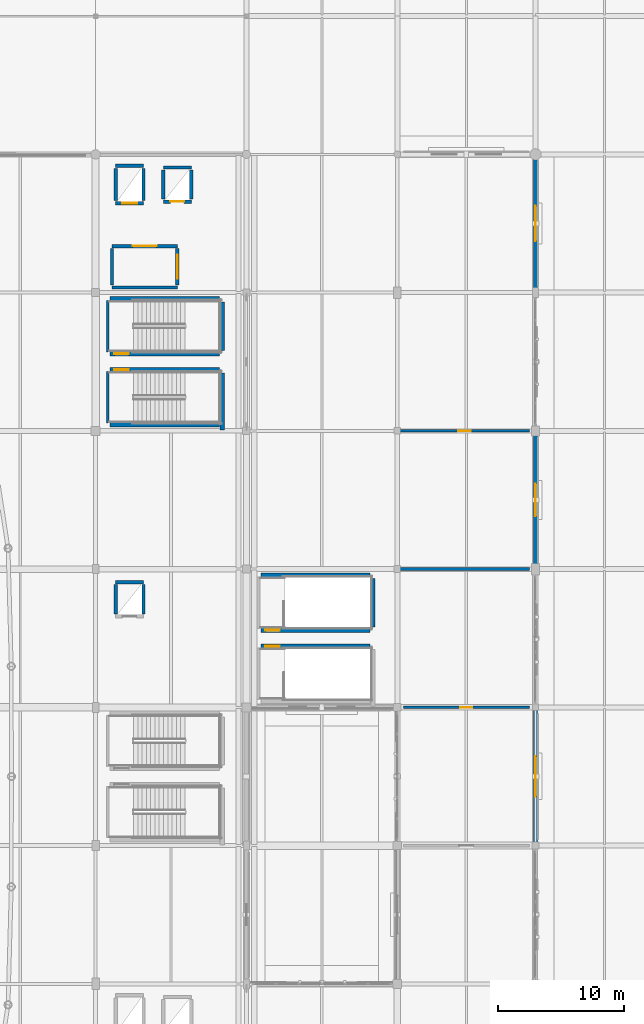
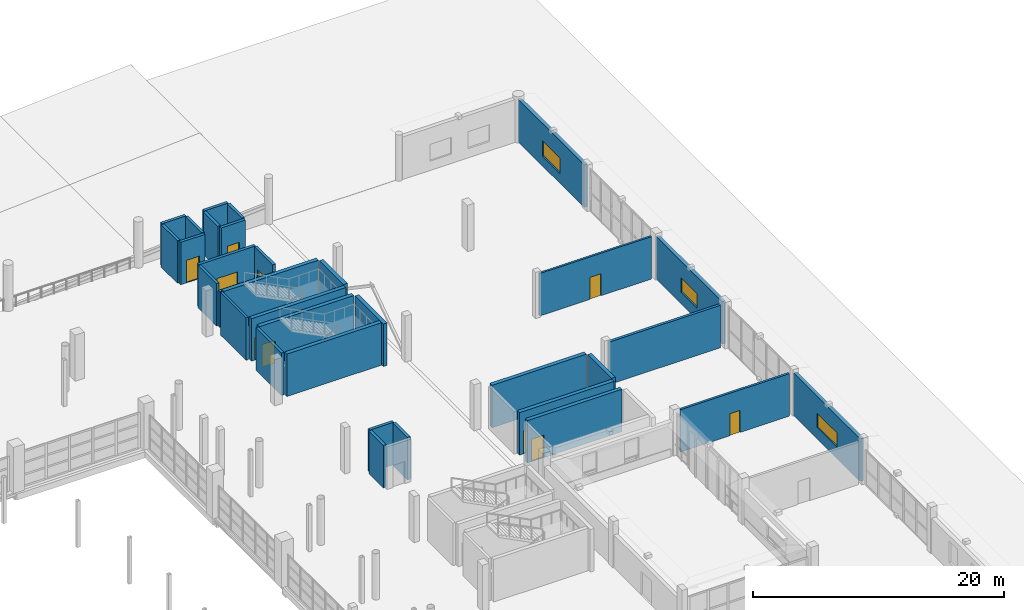
# One storey, part 88 of 118: 33 walls, 10 doors, 3 windows, 13 openings.
"""IFC4 building model written with IfcOpenShell, lengths in metres."""

from ifc_helpers import new_model, si_unit, direction, frame, frame_2d, origin, place, context, subcontext, project, spatial, rectangle, extrude, material, layer, layer_set, type_object, element, fill, save


model = new_model("IFC4")

# Units and contexts
model_context = context("Model", 3, precision=1e-05, world=origin(), true_north=direction((0.0, 1.0)))
body_context = subcontext(model_context, "Body", "Model", "MODEL_VIEW")
ifc_project = project(units=[si_unit("LENGTHUNIT", "METRE"), si_unit("AREAUNIT", "SQUARE_METRE"), si_unit("VOLUMEUNIT", "CUBIC_METRE"), si_unit("PLANEANGLEUNIT", "RADIAN"), si_unit("MASSUNIT", "GRAM", prefix="KILO")], contexts=[model_context])

# Site, building, storey
site_placement = place(None, origin())
site = spatial("IfcSite", under=ifc_project, at=site_placement, CompositionType="ELEMENT")
building_placement = place(site_placement, origin())
building = spatial("IfcBuilding", under=site, at=building_placement, Name="Luwafu Chhajja Arena", CompositionType="ELEMENT")
storey_placement = place(building_placement, frame((0.0, 0.0, 10.199951171875)))
storey = spatial("IfcBuildingStorey", under=building, at=storey_placement, Name="L02", CompositionType="ELEMENT", Elevation=10.199951171875)

# Wall, opening, door
ifc_material_1 = material(Name="Acoustic gypsum and mineral wool partition")
ifc_layer_1 = layer(ifc_material_1, 0.199951171875, Name="Acoustic gypsum and mineral wool partition")
ifc_layer_set_1 = layer_set([ifc_layer_1], Name="Acoustic gypsum and mineral wool partition")
wall_type_1 = type_object("IfcWallType", Name="Acoustic Broadcast Studio Partition 200", PredefinedType="PARTITIONING", material=ifc_layer_set_1)
wall_1_placement = place(storey_placement, frame((176.47998046875, 55.0, 0.0), z_axis=(0.0, 0.0, 1.0), x_axis=(1.0, 0.0, 0.0)))
wall_1 = element("IfcWall", 1, at=wall_1_placement, inside=storey, type_object=wall_type_1, Name="L02 Internal Partition 0283", PredefinedType="PARTITIONING", context=body_context, shape_type="SweptSolid", body=[
    extrude(rectangle(XDim=10.0400390625, YDim=0.199951171875, at=frame_2d((5.02001953125, 0.0))), origin(), (0.0, 0.0, 1.0), 4.14013671875),
])
opening_1_placement = place(wall_1_placement, frame((4.550048828125, 0.0, 0.0)))
opening_1 = element("IfcOpeningElement", 2, at=opening_1_placement, cuts=wall_1, Name="Opening DR-17", PredefinedType="OPENING", context=body_context, shape_type="SweptSolid", body=[
    extrude(rectangle(XDim=0.93994140625, YDim=2.14990234375, at=frame_2d((0.469970703125, 1.074951171875))), frame((0.0, 0.10986328125, 0.0), z_axis=(0.0, -1.0, 0.0), x_axis=(1.0, 0.0, 0.0)), (0.0, 0.0, 1.0), 0.219970703125),
])
ifc_material_2 = material(Name="Acoustic steel-core timber door", Category="steel")
door_type_1 = type_object("IfcDoorType", Name="DR-17", OperationType="NOTDEFINED", PredefinedType="DOOR", material=ifc_material_2)
door_1_placement = place(opening_1_placement, origin())
door_1 = element("IfcDoor", 3, at=door_1_placement, inside=storey, type_object=door_type_1, Name="L02 Interior Door L02-D041", OperationType="SINGLE_SWING_LEFT", OverallHeight=2.14990234375, OverallWidth=0.93994140625, PredefinedType="DOOR", context=body_context, shape_type="SweptSolid", body=[
    extrude(rectangle(XDim=0.93994140625, YDim=2.14990234375, at=frame_2d((0.469970703125, 1.074951171875))), frame((0.0, 0.02490234375, 0.0), z_axis=(0.0, -1.0, 0.0), x_axis=(1.0, 0.0, 0.0)), (0.0, 0.0, 1.0), 0.050048828125),
])
fill(opening_1, door_1)

# Wall
ifc_material_3 = material(Name="Concrete blockwork masonry", Category="masonry")
ifc_layer_2 = layer(ifc_material_3, 0.239990234375, Name="Concrete blockwork masonry")
ifc_layer_set_2 = layer_set([ifc_layer_2], Name="Concrete blockwork masonry")
wall_type_2 = type_object("IfcWallType", Name="Compartment Masonry Partition 240", PredefinedType="PARTITIONING", material=ifc_layer_set_2)
wall_2_placement = place(storey_placement, frame((176.219970703125, 66.0, 0.0), z_axis=(0.0, 0.0, 1.0), x_axis=(1.0, 0.0, 0.0)))
element("IfcWall", 4, at=wall_2_placement, inside=storey, type_object=wall_type_2, Name="L02 Internal Partition 0291", PredefinedType="PARTITIONING", context=body_context, shape_type="SweptSolid", body=[
    extrude(rectangle(XDim=10.300048828125, YDim=0.239990234375, at=frame_2d((5.14990234375, 0.0))), origin(), (0.0, 0.0, 1.0), 4.14013671875),
])

# Wall, opening, door
ifc_material_4 = material(Name="Concrete C40/50", Category="concrete")
ifc_layer_3 = layer(ifc_material_4, 0.260009765625, Name="Concrete C40/50")
ifc_layer_set_3 = layer_set([ifc_layer_3], Name="Concrete C40/50")
wall_type_3 = type_object("IfcWallType", Name="Firefighting Lobby Wall 260", PredefinedType="SOLIDWALL", material=ifc_layer_set_3)
wall_3_placement = place(storey_placement, frame((153.300048828125, 91.699951171875, 0.0), z_axis=(0.0, 0.0, 1.0), x_axis=(1.0, 0.0, 0.0)))
wall_3 = element("IfcWall", 5, at=wall_3_placement, inside=storey, type_object=wall_type_3, Name="L02 Core C4 Firefighting Lobby Wall N", PredefinedType="SOLIDWALL", context=body_context, shape_type="SweptSolid", body=[
    extrude(rectangle(XDim=5.199951171875, YDim=0.260009765625, at=frame_2d((2.60009765625, 0.0))), origin(), (0.0, 0.0, 1.0), 4.14013671875),
])
opening_2_placement = place(wall_3_placement, frame((1.64990234375, 0.0, 0.0)))
opening_2 = element("IfcOpeningElement", 6, at=opening_2_placement, cuts=wall_3, Name="Opening DR-07", PredefinedType="OPENING", context=body_context, shape_type="SweptSolid", body=[
    extrude(rectangle(XDim=1.89990234375, YDim=2.199951171875, at=frame_2d((0.949951171875, 1.10009765625))), frame((0.0, 0.139892578125, 0.0), z_axis=(0.0, -1.0, 0.0), x_axis=(1.0, 0.0, 0.0)), (0.0, 0.0, 1.0), 0.280029296875),
])
ifc_material_5 = material(Name="Fire-rated hardwood and vision panel", Category="wood")
door_type_2 = type_object("IfcDoorType", Name="DR-07", OperationType="DOUBLE_DOOR_SINGLE_SWING", PredefinedType="DOOR", material=ifc_material_5)
door_2_placement = place(opening_2_placement, origin())
door_2 = element("IfcDoor", 7, at=door_2_placement, inside=storey, type_object=door_type_2, Name="L02 Firefighting Lobby C4 Door L02-D015", OperationType="DOUBLE_DOOR_SINGLE_SWING", OverallHeight=2.199951171875, OverallWidth=1.89990234375, PredefinedType="DOOR", context=body_context, shape_type="SweptSolid", body=[
    extrude(rectangle(XDim=1.89990234375, YDim=2.199951171875, at=frame_2d((0.949951171875, 1.10009765625))), frame((0.0, 0.02490234375, 0.0), z_axis=(0.0, -1.0, 0.0), x_axis=(1.0, 0.0, 0.0)), (0.0, 0.0, 1.0), 0.050048828125),
])
fill(opening_2, door_2)

# Walls
wall_4_placement = place(storey_placement, frame((153.300048828125, 88.39990234375, 0.0), z_axis=(0.0, 0.0, 1.0), x_axis=(1.0, 0.0, 0.0)))
element("IfcWall", 8, at=wall_4_placement, inside=storey, type_object=wall_type_3, Name="L02 Core C4 Firefighting Lobby Wall S", PredefinedType="SOLIDWALL", context=body_context, shape_type="SweptSolid", body=[
    extrude(rectangle(XDim=5.199951171875, YDim=0.260009765625, at=frame_2d((2.60009765625, 0.0))), origin(), (0.0, 0.0, 1.0), 3.477783203125),
])
wall_5_placement = place(storey_placement, frame((153.300048828125, 88.60009765625, 0.0), z_axis=(0.0, 0.0, 1.0), x_axis=(0.0, 1.0, 0.0)))
element("IfcWall", 9, at=wall_5_placement, inside=storey, type_object=wall_type_3, Name="L02 Core C4 Firefighting Lobby Wall W", PredefinedType="SOLIDWALL", context=body_context, shape_type="SweptSolid", body=[
    extrude(rectangle(XDim=2.89990234375, YDim=0.260009765625, at=frame_2d((1.449951171875, 0.0))), origin(), (0.0, 0.0, 1.0), 4.14013671875),
])

# Wall, opening, door
wall_6_placement = place(storey_placement, frame((158.5, 88.60009765625, 0.0), z_axis=(0.0, 0.0, 1.0), x_axis=(0.0, 1.0, 0.0)))
wall_6 = element("IfcWall", 10, at=wall_6_placement, inside=storey, type_object=wall_type_3, Name="L02 Core C4 Firefighting Lobby Wall E", PredefinedType="SOLIDWALL", context=body_context, shape_type="SweptSolid", body=[
    extrude(rectangle(XDim=2.89990234375, YDim=0.260009765625, at=frame_2d((1.449951171875, 0.0))), origin(), (0.0, 0.0, 1.0), 4.14013671875),
])
opening_3_placement = place(wall_6_placement, frame((0.5, 0.0, 0.0)))
opening_3 = element("IfcOpeningElement", 11, at=opening_3_placement, cuts=wall_6, Name="Opening DR-07", PredefinedType="OPENING", context=body_context, shape_type="SweptSolid", body=[
    extrude(rectangle(XDim=1.89990234375, YDim=2.199951171875, at=frame_2d((0.949951171875, 1.10009765625))), frame((0.0, 0.139892578125, 0.0), z_axis=(0.0, -1.0, 0.0), x_axis=(1.0, 0.0, 0.0)), (0.0, 0.0, 1.0), 0.280029296875),
])
door_3_placement = place(opening_3_placement, origin())
door_3 = element("IfcDoor", 12, at=door_3_placement, inside=storey, type_object=door_type_2, Name="L02 Firefighting Lobby C4 Door L02-D016", OperationType="DOUBLE_DOOR_SINGLE_SWING", OverallHeight=2.199951171875, OverallWidth=1.89990234375, PredefinedType="DOOR", context=body_context, shape_type="SweptSolid", body=[
    extrude(rectangle(XDim=1.89990234375, YDim=2.199951171875, at=frame_2d((0.949951171875, 1.10009765625))), frame((0.0, 0.02490234375, 0.0), z_axis=(0.0, -1.0, 0.0), x_axis=(1.0, 0.0, 0.0)), (0.0, 0.0, 1.0), 0.050048828125),
])
fill(opening_3, door_3)

ifc_layer_4 = layer(ifc_material_3, 0.179931640625, Name="Concrete blockwork masonry")
ifc_layer_set_4 = layer_set([ifc_layer_4], Name="Concrete blockwork masonry")
wall_type_4 = type_object("IfcWallType", Name="Hospitality Suite Partition 180", PredefinedType="PARTITIONING", material=ifc_layer_set_4)
wall_7_placement = place(storey_placement, frame((176.2099609375, 77.0, 0.0), z_axis=(0.0, 0.0, 1.0), x_axis=(1.0, 0.0, 0.0)))
wall_7 = element("IfcWall", 13, at=wall_7_placement, inside=storey, type_object=wall_type_4, Name="L02 Internal Partition 0284", PredefinedType="PARTITIONING", context=body_context, shape_type="SweptSolid", body=[
    extrude(rectangle(XDim=10.31005859375, YDim=0.179931640625, at=frame_2d((5.155029296875, 0.0))), origin(), (0.0, 0.0, 1.0), 4.14013671875),
])
opening_4_placement = place(wall_7_placement, frame((4.655029296875, 0.0, 0.0)))
opening_4 = element("IfcOpeningElement", 14, at=opening_4_placement, cuts=wall_7, Name="Opening DR-18", PredefinedType="OPENING", context=body_context, shape_type="SweptSolid", body=[
    extrude(rectangle(XDim=1.0, YDim=2.14990234375, at=frame_2d((0.5, 1.074951171875))), frame((0.0, 0.099853515625, 0.0), z_axis=(0.0, -1.0, 0.0), x_axis=(1.0, 0.0, 0.0)), (0.0, 0.0, 1.0), 0.199951171875),
])
ifc_material_6 = material(Name="Solid-core moisture-resistant laminate leaf")
door_type_3 = type_object("IfcDoorType", Name="DR-18", OperationType="NOTDEFINED", PredefinedType="DOOR", material=ifc_material_6)
door_4_placement = place(opening_4_placement, origin())
door_4 = element("IfcDoor", 15, at=door_4_placement, inside=storey, type_object=door_type_3, Name="L02 Interior Door L02-D042", OperationType="SINGLE_SWING_RIGHT", OverallHeight=2.14990234375, OverallWidth=1.0, PredefinedType="DOOR", context=body_context, shape_type="SweptSolid", body=[
    extrude(rectangle(XDim=1.0, YDim=2.14990234375, at=frame_2d((0.5, 1.074951171875))), frame((0.0, 0.02490234375, 0.0), z_axis=(0.0, -1.0, 0.0), x_axis=(1.0, 0.0, 0.0)), (0.0, 0.0, 1.0), 0.050048828125),
])
fill(opening_4, door_4)

ifc_material_7 = material(Name="Concrete C35/45", Category="concrete")
ifc_layer_5 = layer(ifc_material_7, 0.260009765625, Name="Concrete C35/45")
ifc_layer_set_5 = layer_set([ifc_layer_5], Name="Concrete C35/45")
wall_type_5 = type_object("IfcWallType", Name="Lift and Riser Shaft Wall 260", PredefinedType="SOLIDWALL", material=ifc_layer_set_5)
wall_8_placement = place(storey_placement, frame((153.590087890625, 95.114990234375, 0.0), z_axis=(0.0, 0.0, 1.0), x_axis=(1.0, 0.0, 0.0)))
wall_8 = element("IfcWall", 16, at=wall_8_placement, inside=storey, type_object=wall_type_5, Name="L02 Lift LF-04 Shaft Wall S", PredefinedType="SOLIDWALL", context=body_context, shape_type="SweptSolid", body=[
    extrude(rectangle(XDim=2.219970703125, YDim=0.260009765625, at=frame_2d((1.10986328125, 0.0))), origin(), (0.0, 0.0, 1.0), 4.14013671875),
])
opening_5_placement = place(wall_8_placement, frame((0.510009765625, 0.0, 0.0)))
opening_5 = element("IfcOpeningElement", 17, at=opening_5_placement, cuts=wall_8, Name="Opening LD-02", PredefinedType="OPENING", context=body_context, shape_type="SweptSolid", body=[
    extrude(rectangle(XDim=1.199951171875, YDim=2.199951171875, at=frame_2d((0.60009765625, 1.10009765625))), frame((0.0, 0.139892578125, 0.0), z_axis=(0.0, -1.0, 0.0), x_axis=(1.0, 0.0, 0.0)), (0.0, 0.0, 1.0), 0.280029296875),
])
ifc_material_8 = material(Name="Brushed stainless steel sliding leaves", Category="steel")
door_type_4 = type_object("IfcDoorType", Name="LD-02", OperationType="SLIDING_TO_LEFT", PredefinedType="DOOR", material=ifc_material_8)
door_5_placement = place(opening_5_placement, origin())
door_5 = element("IfcDoor", 18, at=door_5_placement, inside=storey, type_object=door_type_4, Name="L02 Lift LF-04 Landing Door L02-LD07", OperationType="SLIDING_TO_LEFT", OverallHeight=2.199951171875, OverallWidth=1.199951171875, PredefinedType="DOOR", context=body_context, shape_type="SweptSolid", body=[
    extrude(rectangle(XDim=1.199951171875, YDim=2.199951171875, at=frame_2d((0.60009765625, 1.10009765625))), frame((0.0, 0.02490234375, 0.0), z_axis=(0.0, -1.0, 0.0), x_axis=(1.0, 0.0, 0.0)), (0.0, 0.0, 1.0), 0.050048828125),
])
fill(opening_5, door_5)

# Walls
wall_9_placement = place(storey_placement, frame((153.590087890625, 98.0849609375, 0.0), z_axis=(0.0, 0.0, 1.0), x_axis=(1.0, 0.0, 0.0)))
element("IfcWall", 19, at=wall_9_placement, inside=storey, type_object=wall_type_5, Name="L02 Lift LF-04 Shaft Wall N", PredefinedType="SOLIDWALL", context=body_context, shape_type="SweptSolid", body=[
    extrude(rectangle(XDim=2.219970703125, YDim=0.260009765625, at=frame_2d((1.10986328125, 0.0))), origin(), (0.0, 0.0, 1.0), 4.14013671875),
])
for number, where, z_axis, x_axis, name in (
    (20, (153.590087890625, 95.31494140625, 0.0), (0.0, 0.0, 1.0), (0.0, 1.0, 0.0), "L02 Lift LF-04 Shaft Wall W"),
    (21, (155.81005859375, 95.31494140625, 0.0), (0.0, 0.0, 1.0), (0.0, 1.0, 0.0), "L02 Lift LF-04 Shaft Wall E"),
):
    element("IfcWall", number, at=place(storey_placement, frame(where, z_axis=z_axis, x_axis=x_axis)), inside=storey, type_object=wall_type_5, Name=name, PredefinedType="SOLIDWALL", context=body_context, shape_type="SweptSolid", body=[
        extrude(rectangle(XDim=2.570068359375, YDim=0.260009765625, at=frame_2d((1.28515625, 0.0))), origin(), (0.0, 0.0, 1.0), 4.14013671875),
    ])

# Wall, opening, door
wall_10_placement = place(storey_placement, frame((157.389892578125, 95.239990234375, 0.0), z_axis=(0.0, 0.0, 1.0), x_axis=(1.0, 0.0, 0.0)))
wall_10 = element("IfcWall", 22, at=wall_10_placement, inside=storey, type_object=wall_type_5, Name="L02 Lift LF-08 Shaft Wall S", PredefinedType="SOLIDWALL", context=body_context, shape_type="SweptSolid", body=[
    extrude(rectangle(XDim=2.22021484375, YDim=0.260009765625, at=frame_2d((1.110107421875, 0.0))), origin(), (0.0, 0.0, 1.0), 4.14013671875),
])
opening_6_placement = place(wall_10_placement, frame((0.56005859375, 0.0, 0.0)))
opening_6 = element("IfcOpeningElement", 23, at=opening_6_placement, cuts=wall_10, Name="Opening LD-01", PredefinedType="OPENING", context=body_context, shape_type="SweptSolid", body=[
    extrude(rectangle(XDim=1.10009765625, YDim=2.14990234375, at=frame_2d((0.550048828125, 1.074951171875))), frame((0.0, 0.139892578125, 0.0), z_axis=(0.0, -1.0, 0.0), x_axis=(1.0, 0.0, 0.0)), (0.0, 0.0, 1.0), 0.280029296875),
])
door_type_5 = type_object("IfcDoorType", Name="LD-01", OperationType="SLIDING_TO_LEFT", PredefinedType="DOOR", material=ifc_material_8)
door_6_placement = place(opening_6_placement, origin())
door_6 = element("IfcDoor", 24, at=door_6_placement, inside=storey, type_object=door_type_5, Name="L02 Lift LF-08 Landing Door L02-LD08", OperationType="SLIDING_TO_LEFT", OverallHeight=2.14990234375, OverallWidth=1.10009765625, PredefinedType="DOOR", context=body_context, shape_type="SweptSolid", body=[
    extrude(rectangle(XDim=1.10009765625, YDim=2.14990234375, at=frame_2d((0.550048828125, 1.074951171875))), frame((0.0, 0.02490234375, 0.0), z_axis=(0.0, -1.0, 0.0), x_axis=(1.0, 0.0, 0.0)), (0.0, 0.0, 1.0), 0.050048828125),
])
fill(opening_6, door_6)

# Walls
wall_11_placement = place(storey_placement, frame((157.389892578125, 97.9599609375, 0.0), z_axis=(0.0, 0.0, 1.0), x_axis=(1.0, 0.0, 0.0)))
element("IfcWall", 25, at=wall_11_placement, inside=storey, type_object=wall_type_5, Name="L02 Lift LF-08 Shaft Wall N", PredefinedType="SOLIDWALL", context=body_context, shape_type="SweptSolid", body=[
    extrude(rectangle(XDim=2.22021484375, YDim=0.260009765625, at=frame_2d((1.110107421875, 0.0))), origin(), (0.0, 0.0, 1.0), 4.14013671875),
])
for number, where, z_axis, x_axis, name in (
    (26, (157.389892578125, 95.43994140625, 0.0), (0.0, 0.0, 1.0), (0.0, 1.0, 0.0), "L02 Lift LF-08 Shaft Wall W"),
    (27, (159.610107421875, 95.43994140625, 0.0), (0.0, 0.0, 1.0), (0.0, 1.0, 0.0), "L02 Lift LF-08 Shaft Wall E"),
):
    element("IfcWall", number, at=place(storey_placement, frame(where, z_axis=z_axis, x_axis=x_axis)), inside=storey, type_object=wall_type_5, Name=name, PredefinedType="SOLIDWALL", context=body_context, shape_type="SweptSolid", body=[
        extrude(rectangle(XDim=2.320068359375, YDim=0.260009765625, at=frame_2d((1.16015625, 0.0))), origin(), (0.0, 0.0, 1.0), 4.14013671875),
    ])
wall_12_placement = place(storey_placement, frame((153.590087890625, 64.9599609375, 0.0), z_axis=(0.0, 0.0, 1.0), x_axis=(1.0, 0.0, 0.0)))
element("IfcWall", 28, at=wall_12_placement, inside=storey, type_object=wall_type_5, Name="L02 Lift LF-10 Shaft Wall N", PredefinedType="SOLIDWALL", context=body_context, shape_type="SweptSolid", body=[
    extrude(rectangle(XDim=2.219970703125, YDim=0.260009765625, at=frame_2d((1.10986328125, 0.0))), origin(), (0.0, 0.0, 1.0), 4.14013671875),
])
for number, where, z_axis, x_axis, name in (
    (29, (153.590087890625, 62.43994140625, 0.0), (0.0, 0.0, 1.0), (0.0, 1.0, 0.0), "L02 Lift LF-10 Shaft Wall W"),
    (30, (155.81005859375, 62.43994140625, 0.0), (0.0, 0.0, 1.0), (0.0, 1.0, 0.0), "L02 Lift LF-10 Shaft Wall E"),
):
    element("IfcWall", number, at=place(storey_placement, frame(where, z_axis=z_axis, x_axis=x_axis)), inside=storey, type_object=wall_type_5, Name=name, PredefinedType="SOLIDWALL", context=body_context, shape_type="SweptSolid", body=[
        extrude(rectangle(XDim=2.320068359375, YDim=0.260009765625, at=frame_2d((1.16015625, 0.0))), origin(), (0.0, 0.0, 1.0), 4.14013671875),
    ])
ifc_layer_6 = layer(ifc_material_4, 0.35009765625, Name="Concrete C40/50")
ifc_layer_set_6 = layer_set([ifc_layer_6], Name="Concrete C40/50")
wall_type_6 = type_object("IfcWallType", Name="RC Core Shear Wall 350", PredefinedType="SOLIDWALL", material=ifc_layer_set_6)
wall_13_placement = place(storey_placement, frame((162.072021484375, 77.050048828125, 0.0), z_axis=(0.0, 0.0, 1.0), x_axis=(0.0, 1.0, 0.0)))
element("IfcWall", 31, at=wall_13_placement, inside=storey, type_object=wall_type_6, Name="L02 Stair ST-07 Core Shear Wall E", PredefinedType="SOLIDWALL", context=body_context, shape_type="SweptSolid", body=[
    extrude(rectangle(XDim=4.5400390625, YDim=0.35009765625, at=frame_2d((2.27001953125, 0.0))), origin(), (0.0, 0.0, 1.0), 4.14013671875),
])
wall_14_placement = place(storey_placement, frame((153.14990234375, 77.47802734375, 0.0), z_axis=(0.0, 0.0, 1.0), x_axis=(1.0, 0.0, 0.0)))
element("IfcWall", 32, at=wall_14_placement, inside=storey, type_object=wall_type_6, Name="L02 Stair ST-07 Core Shear Wall S", PredefinedType="SOLIDWALL", context=body_context, shape_type="SweptSolid", body=[
    extrude(rectangle(XDim=8.7001953125, YDim=0.35009765625, at=frame_2d((4.35009765625, 0.0))), origin(), (0.0, 0.0, 1.0), 4.14013671875),
])

# Wall, opening, door
wall_15_placement = place(storey_placement, frame((153.14990234375, 81.862060546875, 0.0), z_axis=(0.0, 0.0, 1.0), x_axis=(1.0, 0.0, 0.0)))
wall_15 = element("IfcWall", 33, at=wall_15_placement, inside=storey, type_object=wall_type_6, Name="L02 Stair ST-07 Core Shear Wall N", PredefinedType="SOLIDWALL", context=body_context, shape_type="SweptSolid", body=[
    extrude(rectangle(XDim=8.7001953125, YDim=0.35009765625, at=frame_2d((4.35009765625, 0.0))), origin(), (0.0, 0.0, 1.0), 4.14013671875),
])
opening_7_placement = place(wall_15_placement, frame((0.35009765625, 0.0, 0.0)))
opening_7 = element("IfcOpeningElement", 34, at=opening_7_placement, cuts=wall_15, Name="Opening DR-06", PredefinedType="OPENING", context=body_context, shape_type="SweptSolid", body=[
    extrude(rectangle(XDim=1.14990234375, YDim=2.199951171875, at=frame_2d((0.574951171875, 1.10009765625))), frame((0.0, 0.18505859375, 0.0), z_axis=(0.0, -1.0, 0.0), x_axis=(1.0, 0.0, 0.0)), (0.0, 0.0, 1.0), 0.3701171875),
])
ifc_material_9 = material(Name="Fire-rated hardwood and steel core", Category="steel")
door_type_6 = type_object("IfcDoorType", Name="DR-06", OperationType="NOTDEFINED", PredefinedType="DOOR", material=ifc_material_9)
door_7_placement = place(opening_7_placement, origin())
door_7 = element("IfcDoor", 35, at=door_7_placement, inside=storey, type_object=door_type_6, Name="L02 Escape Stair ST-07 Fire Door L02-D013", OperationType="SINGLE_SWING_RIGHT", OverallHeight=2.199951171875, OverallWidth=1.14990234375, PredefinedType="DOOR", context=body_context, shape_type="SweptSolid", body=[
    extrude(rectangle(XDim=1.14990234375, YDim=2.199951171875, at=frame_2d((0.574951171875, 1.10009765625))), frame((0.0, 0.02490234375, 0.0), z_axis=(0.0, -1.0, 0.0), x_axis=(1.0, 0.0, 0.0)), (0.0, 0.0, 1.0), 0.050048828125),
])
fill(opening_7, door_7)

# Wall
wall_16_placement = place(storey_placement, frame((162.072021484375, 83.409912109375, 0.0), z_axis=(0.0, 0.0, 1.0), x_axis=(0.0, 1.0, 0.0)))
element("IfcWall", 36, at=wall_16_placement, inside=storey, type_object=wall_type_6, Name="L02 Stair ST-08 Core Shear Wall E", PredefinedType="SOLIDWALL", context=body_context, shape_type="SweptSolid", body=[
    extrude(rectangle(XDim=3.840087890625, YDim=0.35009765625, at=frame_2d((1.919921875, 0.0))), origin(), (0.0, 0.0, 1.0), 4.14013671875),
])

# Wall, opening, door
wall_17_placement = place(storey_placement, frame((153.14990234375, 83.137939453125, 0.0), z_axis=(0.0, 0.0, 1.0), x_axis=(1.0, 0.0, 0.0)))
wall_17 = element("IfcWall", 37, at=wall_17_placement, inside=storey, type_object=wall_type_6, Name="L02 Stair ST-08 Core Shear Wall S", PredefinedType="SOLIDWALL", context=body_context, shape_type="SweptSolid", body=[
    extrude(rectangle(XDim=8.7001953125, YDim=0.35009765625, at=frame_2d((4.35009765625, 0.0))), origin(), (0.0, 0.0, 1.0), 4.14013671875),
])
opening_8_placement = place(wall_17_placement, frame((0.35009765625, 0.0, 0.0)))
opening_8 = element("IfcOpeningElement", 38, at=opening_8_placement, cuts=wall_17, Name="Opening DR-06", PredefinedType="OPENING", context=body_context, shape_type="SweptSolid", body=[
    extrude(rectangle(XDim=1.14990234375, YDim=2.199951171875, at=frame_2d((0.574951171875, 1.10009765625))), frame((0.0, 0.18505859375, 0.0), z_axis=(0.0, -1.0, 0.0), x_axis=(1.0, 0.0, 0.0)), (0.0, 0.0, 1.0), 0.3701171875),
])
door_8_placement = place(opening_8_placement, origin())
door_8 = element("IfcDoor", 39, at=door_8_placement, inside=storey, type_object=door_type_6, Name="L02 Escape Stair ST-08 Fire Door L02-D014", OperationType="SINGLE_SWING_LEFT", OverallHeight=2.199951171875, OverallWidth=1.14990234375, PredefinedType="DOOR", context=body_context, shape_type="SweptSolid", body=[
    extrude(rectangle(XDim=1.14990234375, YDim=2.199951171875, at=frame_2d((0.574951171875, 1.10009765625))), frame((0.0, 0.02490234375, 0.0), z_axis=(0.0, -1.0, 0.0), x_axis=(1.0, 0.0, 0.0)), (0.0, 0.0, 1.0), 0.050048828125),
])
fill(opening_8, door_8)

# Wall
wall_18_placement = place(storey_placement, frame((153.14990234375, 87.52197265625, 0.0), z_axis=(0.0, 0.0, 1.0), x_axis=(1.0, 0.0, 0.0)))
element("IfcWall", 40, at=wall_18_placement, inside=storey, type_object=wall_type_6, Name="L02 Stair ST-08 Core Shear Wall N", PredefinedType="SOLIDWALL", context=body_context, shape_type="SweptSolid", body=[
    extrude(rectangle(XDim=8.7001953125, YDim=0.35009765625, at=frame_2d((4.35009765625, 0.0))), origin(), (0.0, 0.0, 1.0), 4.14013671875),
])

# Wall, opening, door
wall_19_placement = place(storey_placement, frame((165.14990234375, 59.862060546875, 0.0), z_axis=(0.0, 0.0, 1.0), x_axis=(1.0, 0.0, 0.0)))
wall_19 = element("IfcWall", 41, at=wall_19_placement, inside=storey, type_object=wall_type_6, Name="L02 Stair ST-19 Core Shear Wall N", PredefinedType="SOLIDWALL", context=body_context, shape_type="SweptSolid", body=[
    extrude(rectangle(XDim=8.7001953125, YDim=0.35009765625, at=frame_2d((4.35009765625, 0.0))), origin(), (0.0, 0.0, 1.0), 4.14013671875),
])
opening_9_placement = place(wall_19_placement, frame((0.35009765625, 0.0, 0.0)))
opening_9 = element("IfcOpeningElement", 42, at=opening_9_placement, cuts=wall_19, Name="Opening DR-06", PredefinedType="OPENING", context=body_context, shape_type="SweptSolid", body=[
    extrude(rectangle(XDim=1.14990234375, YDim=2.199951171875, at=frame_2d((0.574951171875, 1.10009765625))), frame((0.0, 0.18505859375, 0.0), z_axis=(0.0, -1.0, 0.0), x_axis=(1.0, 0.0, 0.0)), (0.0, 0.0, 1.0), 0.3701171875),
])
door_9_placement = place(opening_9_placement, origin())
door_9 = element("IfcDoor", 43, at=door_9_placement, inside=storey, type_object=door_type_6, Name="L02 Escape Stair ST-19 Fire Door L02-D027", OperationType="SINGLE_SWING_RIGHT", OverallHeight=2.199951171875, OverallWidth=1.14990234375, PredefinedType="DOOR", context=body_context, shape_type="SweptSolid", body=[
    extrude(rectangle(XDim=1.14990234375, YDim=2.199951171875, at=frame_2d((0.574951171875, 1.10009765625))), frame((0.0, 0.02490234375, 0.0), z_axis=(0.0, -1.0, 0.0), x_axis=(1.0, 0.0, 0.0)), (0.0, 0.0, 1.0), 0.050048828125),
])
fill(opening_9, door_9)

# Wall
wall_20_placement = place(storey_placement, frame((174.072021484375, 61.409912109375, 0.0), z_axis=(0.0, 0.0, 1.0), x_axis=(0.0, 1.0, 0.0)))
element("IfcWall", 44, at=wall_20_placement, inside=storey, type_object=wall_type_6, Name="L02 Stair ST-20 Core Shear Wall E", PredefinedType="SOLIDWALL", context=body_context, shape_type="SweptSolid", body=[
    extrude(rectangle(XDim=3.840087890625, YDim=0.35009765625, at=frame_2d((1.919921875, 0.0))), origin(), (0.0, 0.0, 1.0), 4.14013671875),
])

# Wall, opening, door
wall_21_placement = place(storey_placement, frame((165.14990234375, 61.137939453125, 0.0), z_axis=(0.0, 0.0, 1.0), x_axis=(1.0, 0.0, 0.0)))
wall_21 = element("IfcWall", 45, at=wall_21_placement, inside=storey, type_object=wall_type_6, Name="L02 Stair ST-20 Core Shear Wall S", PredefinedType="SOLIDWALL", context=body_context, shape_type="SweptSolid", body=[
    extrude(rectangle(XDim=8.7001953125, YDim=0.35009765625, at=frame_2d((4.35009765625, 0.0))), origin(), (0.0, 0.0, 1.0), 4.14013671875),
])
opening_10_placement = place(wall_21_placement, frame((0.35009765625, 0.0, 0.0)))
opening_10 = element("IfcOpeningElement", 46, at=opening_10_placement, cuts=wall_21, Name="Opening DR-06", PredefinedType="OPENING", context=body_context, shape_type="SweptSolid", body=[
    extrude(rectangle(XDim=1.14990234375, YDim=2.199951171875, at=frame_2d((0.574951171875, 1.10009765625))), frame((0.0, 0.18505859375, 0.0), z_axis=(0.0, -1.0, 0.0), x_axis=(1.0, 0.0, 0.0)), (0.0, 0.0, 1.0), 0.3701171875),
])
door_10_placement = place(opening_10_placement, origin())
door_10 = element("IfcDoor", 47, at=door_10_placement, inside=storey, type_object=door_type_6, Name="L02 Escape Stair ST-20 Fire Door L02-D028", OperationType="SINGLE_SWING_LEFT", OverallHeight=2.199951171875, OverallWidth=1.14990234375, PredefinedType="DOOR", context=body_context, shape_type="SweptSolid", body=[
    extrude(rectangle(XDim=1.14990234375, YDim=2.199951171875, at=frame_2d((0.574951171875, 1.10009765625))), frame((0.0, 0.02490234375, 0.0), z_axis=(0.0, -1.0, 0.0), x_axis=(1.0, 0.0, 0.0)), (0.0, 0.0, 1.0), 0.050048828125),
])
fill(opening_10, door_10)

# Wall
wall_22_placement = place(storey_placement, frame((165.14990234375, 65.52197265625, 0.0), z_axis=(0.0, 0.0, 1.0), x_axis=(1.0, 0.0, 0.0)))
element("IfcWall", 48, at=wall_22_placement, inside=storey, type_object=wall_type_6, Name="L02 Stair ST-20 Core Shear Wall N", PredefinedType="SOLIDWALL", context=body_context, shape_type="SweptSolid", body=[
    extrude(rectangle(XDim=8.7001953125, YDim=0.35009765625, at=frame_2d((4.35009765625, 0.0))), origin(), (0.0, 0.0, 1.0), 4.14013671875),
])

# Wall, opening, window
ifc_layer_7 = layer(ifc_material_7, 0.320068359375, Name="Concrete C35/45")
ifc_layer_set_7 = layer_set([ifc_layer_7], Name="Concrete C35/45")
wall_type_7 = type_object("IfcWallType", Name="Sandstone Backed Exterior Wall 320", PredefinedType="SOLIDWALL", material=ifc_layer_set_7)
wall_23_placement = place(storey_placement, frame((187.0, 44.219970703125, 0.0), z_axis=(0.0, 0.0, 1.0), x_axis=(0.0, 1.0, 0.0)))
wall_23 = element("IfcWall", 49, at=wall_23_placement, inside=storey, type_object=wall_type_7, Name="L02 Exterior Wall WEX-L02-176", PredefinedType="SOLIDWALL", context=body_context, shape_type="SweptSolid", body=[
    extrude(rectangle(XDim=10.570068359375, YDim=0.320068359375, at=frame_2d((5.28515625, 0.0))), origin(), (0.0, 0.0, 1.0), 4.14501953125),
])
opening_11_placement = place(wall_23_placement, frame((3.68505859375, 0.0, 1.10009765625)))
opening_11 = element("IfcOpeningElement", 50, at=opening_11_placement, cuts=wall_23, Name="Opening WN-08", PredefinedType="OPENING", context=body_context, shape_type="SweptSolid", body=[
    extrude(rectangle(XDim=3.199951171875, YDim=1.39990234375, at=frame_2d((1.60009765625, 0.699951171875))), frame((0.0, 0.169921875, 0.0), z_axis=(0.0, -1.0, 0.0), x_axis=(1.0, 0.0, 0.0)), (0.0, 0.0, 1.0), 0.340087890625),
])
ifc_material_10 = material(Name="Solar-control laminated glass", Category="glass")
window_type_1 = type_object("IfcWindowType", Name="Warm-Up Court Clerestory Window 3200x1400", PartitioningType="SINGLE_PANEL", PredefinedType="WINDOW", material=ifc_material_10)
window_1_placement = place(opening_11_placement, origin())
window_1 = element("IfcWindow", 51, at=window_1_placement, inside=storey, type_object=window_type_1, Name="L02 Facade Window 113", OverallHeight=1.39990234375, OverallWidth=3.199951171875, PartitioningType="SINGLE_PANEL", PredefinedType="WINDOW", context=body_context, shape_type="SweptSolid", body=[
    extrude(rectangle(XDim=3.199951171875, YDim=1.39990234375, at=frame_2d((1.60009765625, 0.699951171875))), frame((0.0, 0.030029296875, 0.0), z_axis=(0.0, -1.0, 0.0), x_axis=(1.0, 0.0, 0.0)), (0.0, 0.0, 1.0), 0.06005859375),
])
fill(opening_11, window_1)

wall_24_placement = place(storey_placement, frame((187.0, 66.219970703125, 0.0), z_axis=(0.0, 0.0, 1.0), x_axis=(0.0, 1.0, 0.0)))
wall_24 = element("IfcWall", 52, at=wall_24_placement, inside=storey, type_object=wall_type_7, Name="L02 Exterior Wall WEX-L02-177", PredefinedType="SOLIDWALL", context=body_context, shape_type="SweptSolid", body=[
    extrude(rectangle(XDim=10.56005859375, YDim=0.320068359375, at=frame_2d((5.280029296875, 0.0))), origin(), (0.0, 0.0, 1.0), 4.14501953125),
])
opening_12_placement = place(wall_24_placement, frame((3.97998046875, 0.0, 1.10009765625)))
opening_12 = element("IfcOpeningElement", 53, at=opening_12_placement, cuts=wall_24, Name="Opening WN-09", PredefinedType="OPENING", context=body_context, shape_type="SweptSolid", body=[
    extrude(rectangle(XDim=2.60009765625, YDim=1.39990234375, at=frame_2d((1.300048828125, 0.699951171875))), frame((0.0, 0.169921875, 0.0), z_axis=(0.0, -1.0, 0.0), x_axis=(1.0, 0.0, 0.0)), (0.0, 0.0, 1.0), 0.340087890625),
])
window_type_2 = type_object("IfcWindowType", Name="Warm-Up Court High Window 2600x1400", PartitioningType="SINGLE_PANEL", PredefinedType="WINDOW", material=ifc_material_10)
window_2_placement = place(opening_12_placement, origin())
window_2 = element("IfcWindow", 54, at=window_2_placement, inside=storey, type_object=window_type_2, Name="L02 Facade Window 114", OverallHeight=1.39990234375, OverallWidth=2.60009765625, PartitioningType="SINGLE_PANEL", PredefinedType="WINDOW", context=body_context, shape_type="SweptSolid", body=[
    extrude(rectangle(XDim=2.60009765625, YDim=1.39990234375, at=frame_2d((1.300048828125, 0.699951171875))), frame((0.0, 0.030029296875, 0.0), z_axis=(0.0, -1.0, 0.0), x_axis=(1.0, 0.0, 0.0)), (0.0, 0.0, 1.0), 0.06005859375),
])
fill(opening_12, window_2)

wall_25_placement = place(storey_placement, frame((187.0, 88.219970703125, 0.0), z_axis=(0.0, 0.0, 1.0), x_axis=(0.0, 1.0, 0.0)))
wall_25 = element("IfcWall", 55, at=wall_25_placement, inside=storey, type_object=wall_type_7, Name="L02 Exterior Wall WEX-L02-179", PredefinedType="SOLIDWALL", context=body_context, shape_type="SweptSolid", body=[
    extrude(rectangle(XDim=10.56005859375, YDim=0.320068359375, at=frame_2d((5.280029296875, 0.0))), origin(), (0.0, 0.0, 1.0), 4.14501953125),
])
opening_13_placement = place(wall_25_placement, frame((3.8798828125, 0.0, 0.949951171875)))
opening_13 = element("IfcOpeningElement", 56, at=opening_13_placement, cuts=wall_25, Name="Opening WN-12", PredefinedType="OPENING", context=body_context, shape_type="SweptSolid", body=[
    extrude(rectangle(XDim=2.800048828125, YDim=1.5, at=frame_2d((1.39990234375, 0.75))), frame((0.0, 0.169921875, 0.0), z_axis=(0.0, -1.0, 0.0), x_axis=(1.0, 0.0, 0.0)), (0.0, 0.0, 1.0), 0.340087890625),
])
window_type_3 = type_object("IfcWindowType", Name="Media Press Room Ribbon Window 2800x1500", PartitioningType="SINGLE_PANEL", PredefinedType="WINDOW", material=ifc_material_10)
window_3_placement = place(opening_13_placement, origin())
window_3 = element("IfcWindow", 57, at=window_3_placement, inside=storey, type_object=window_type_3, Name="L02 Facade Window 117", OverallHeight=1.5, OverallWidth=2.800048828125, PartitioningType="SINGLE_PANEL", PredefinedType="WINDOW", context=body_context, shape_type="SweptSolid", body=[
    extrude(rectangle(XDim=2.800048828125, YDim=1.5, at=frame_2d((1.39990234375, 0.75))), frame((0.0, 0.030029296875, 0.0), z_axis=(0.0, -1.0, 0.0), x_axis=(1.0, 0.0, 0.0)), (0.0, 0.0, 1.0), 0.06005859375),
])
fill(opening_13, window_3)

# Walls
ifc_layer_8 = layer(ifc_material_7, 0.22998046875, Name="Concrete C35/45")
ifc_layer_set_8 = layer_set([ifc_layer_8], Name="Concrete C35/45")
wall_type_8 = type_object("IfcWallType", Name="Stair Enclosure Wall 230", PredefinedType="SOLIDWALL", material=ifc_layer_set_8)
for number, where, z_axis, x_axis, name in (
    (58, (152.9599609375, 77.6298828125, 0.0), (0.0, 0.0, 1.0), (0.0, 1.0, 0.0), "L02 Stair ST-07 Enclosure Wall W"),
    (59, (152.9599609375, 83.2900390625, 0.0), (0.0, 0.0, 1.0), (0.0, 1.0, 0.0), "L02 Stair ST-08 Enclosure Wall W"),
):
    element("IfcWall", number, at=place(storey_placement, frame(where, z_axis=z_axis, x_axis=x_axis)), inside=storey, type_object=wall_type_8, Name=name, PredefinedType="SOLIDWALL", context=body_context, shape_type="SweptSolid", body=[
        extrude(rectangle(XDim=4.080078125, YDim=0.22998046875, at=frame_2d((2.0400390625, 0.0))), origin(), (0.0, 0.0, 1.0), 4.14013671875),
    ])

save(model, "model.ifc")
